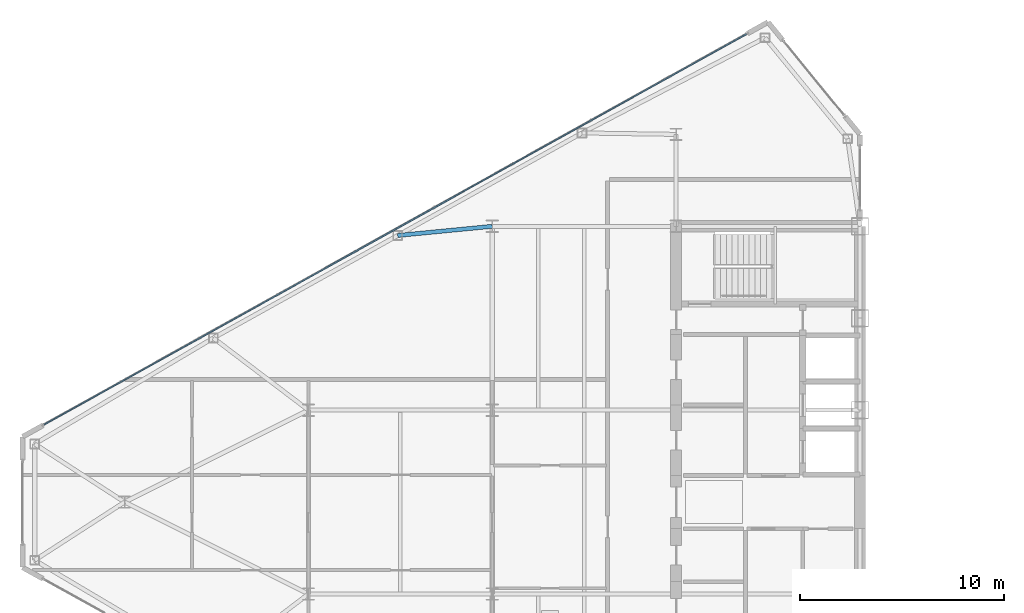
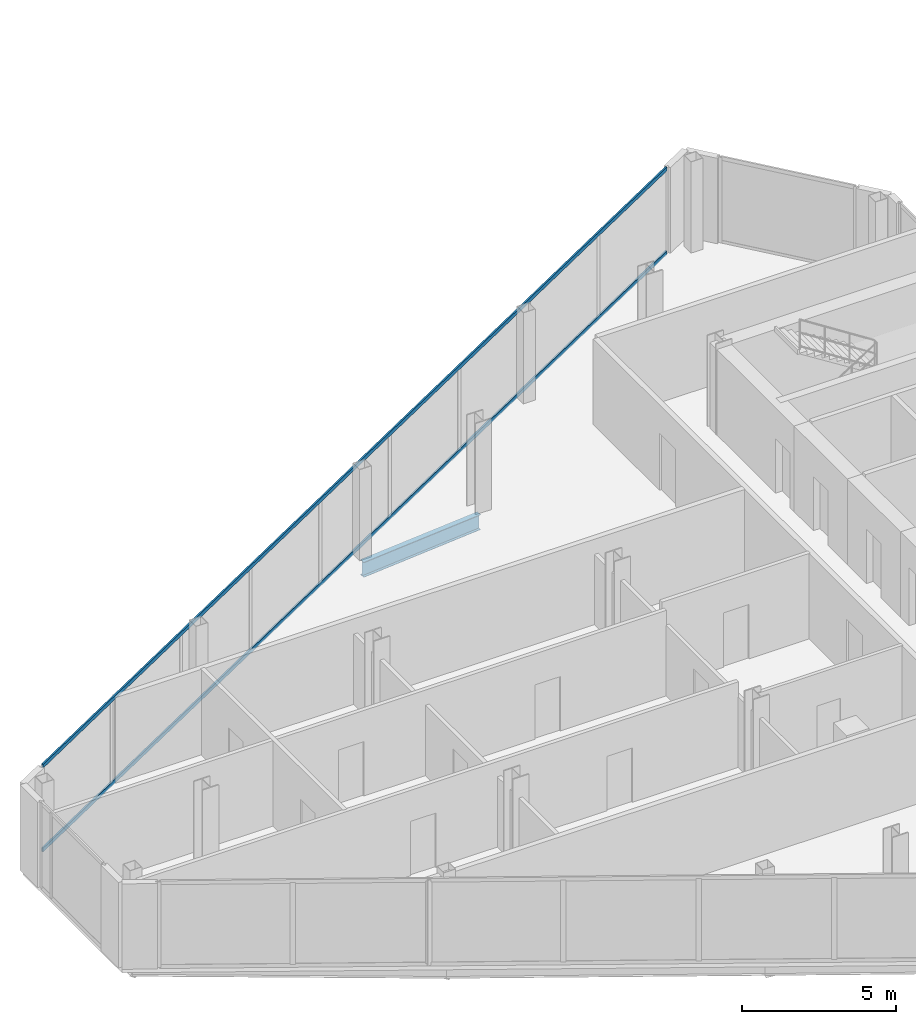
# One storey, part 9 of 26: 2 members, 1 beam, 1 element without a shape of its own.
"""IFC4 building model written with IfcOpenShell, lengths in metres."""

from ifc_helpers import new_model, si_unit, direction, frame, origin, origin_2d, place, context, subcontext, project, spatial, rectangle, i_section, extrude, source, transform, mapped, material, layer, layer_set, material_profile, profile_set, type_object, type_shapes, element, aggregate, save


model = new_model("IFC4")

# Units and contexts
model_context = context("Model", 3, precision=1e-05, world=origin(), true_north=direction((0.0, 1.0)))
body_context = subcontext(model_context, "Body", "Model", "MODEL_VIEW")
ifc_project = project(units=[si_unit("LENGTHUNIT", "METRE"), si_unit("AREAUNIT", "SQUARE_METRE"), si_unit("VOLUMEUNIT", "CUBIC_METRE"), si_unit("PLANEANGLEUNIT", "RADIAN"), si_unit("MASSUNIT", "GRAM", prefix="KILO")], contexts=[model_context])

# Site, building, storey
site_placement = place(None, origin())
site = spatial("IfcSite", under=ifc_project, at=site_placement, CompositionType="ELEMENT")
building_placement = place(site_placement, origin())
building = spatial("IfcBuilding", under=site, at=building_placement, Name="Seokmaru Belvedere", CompositionType="ELEMENT")
storey_placement = place(building_placement, frame((0.0, 0.0, 167.10009765625)))
storey = spatial("IfcBuildingStorey", under=building, at=storey_placement, Name="L44", CompositionType="ELEMENT", Elevation=167.10009765625)

# Beam
ifc_material_1 = material(Name="Steel SM355 (355 MPa)", Category="steel")
ifc_material_profile_1 = material_profile(ifc_material_1, i_section(OverallWidth=0.199951171875, OverallDepth=0.60009765625, WebThickness=0.010986328125, FlangeThickness=0.01708984375, at=origin_2d()), Name="H-600x200x11x17")
ifc_profile_set_1 = profile_set([ifc_material_profile_1], Name="Steel SM355 (355 MPa)")
beam_type = type_object("IfcBeamType", Name="Primary Floor Girder H-600", PredefinedType="BEAM", material=ifc_profile_set_1)
shared_shape_1 = source(origin(), body_context, "Body", "SweptSolid", [
    extrude(i_section(OverallWidth=0.199951171875, OverallDepth=0.60009765625, WebThickness=0.010986328125, FlangeThickness=0.01708984375, at=origin_2d()), origin(), (0.0, 0.0, 1.0), 4.65087890625),
])
type_shapes(beam_type, [shared_shape_1])
beam_placement = place(storey_placement, frame((-50.129150390625, 13.051025390625, -0.52001953125), z_axis=(0.995329534874, 0.09653557379, 0.0), x_axis=(-0.09653557379, 0.995329534874, 0.0)))
element("IfcBeam", 1, at=beam_placement, inside=storey, type_object=beam_type, Name="L44 W Flank Radial Floor Girder N-2", PredefinedType="BEAM", context=body_context, shape_type="MappedRepresentation", body=[
    mapped(shared_shape_1, transform((0.0, 0.0, 0.0), scale=1.0)),
])

# Curtain wall, members
ifc_material_2 = material(Name="Bronze Triple Insulating Glass", Category="glass")
ifc_layer = layer(ifc_material_2, 0.179931640625)
ifc_layer_set = layer_set([ifc_layer], Name="Bronze Triple Insulating Glass")
curtain_wall_type = type_object("IfcCurtainWallType", Name="High-Rise Wind-Corner Curtain Wall System CW-5", PredefinedType="NOTDEFINED", material=ifc_layer_set)
curtain_wall_placement = place(storey_placement, origin())
curtain_wall = element("IfcCurtainWall", 2, at=curtain_wall_placement, inside=storey, type_object=curtain_wall_type, Name="L44 Curtain Wall WF3", PredefinedType="NOTDEFINED")
ifc_material_3 = material(Name="Anodised Bronze Aluminium", Category="aluminium")
ifc_material_profile_2 = material_profile(ifc_material_3, rectangle(XDim=0.06494140625, YDim=0.14990234375, at=origin_2d()), Name="CW-T-65x150")
ifc_profile_set_2 = profile_set([ifc_material_profile_2], Name="Anodised Bronze Aluminium")
member_type = type_object("IfcMemberType", Name="Bronze Unitised Transom 65x150", PredefinedType="USERDEFINED", material=ifc_profile_set_2)
shared_shape_2 = source(origin(), body_context, "Body", "SweptSolid", [
    extrude(rectangle(XDim=0.06494140625, YDim=0.14990234375, at=origin_2d()), origin(), (0.0, 0.0, 1.0), 39.33544921875),
])
type_shapes(member_type, [shared_shape_2])
member_1_placement = place(storey_placement, frame((-33.061767578125, 22.909423828125, 0.032470703125), z_axis=(-0.873932045133, -0.486048125693, 0.0), x_axis=(0.486048125693, -0.873932045133, 0.0)))
member_1 = element("IfcMember", 3, at=member_1_placement, type_object=member_type, Name="CW:L44:WF3 Continuous Transom 1", ObjectType="TRANSOM", PredefinedType="USERDEFINED", context=body_context, shape_type="MappedRepresentation", body=[
    mapped(shared_shape_2, transform((0.0, 0.0, 0.0), scale=1.0)),
])
member_2_placement = place(storey_placement, frame((-33.061767578125, 22.909423828125, 3.347412109375), z_axis=(-0.873932045133, -0.486048125693, 0.0), x_axis=(0.486048125693, -0.873932045133, 0.0)))
member_2 = element("IfcMember", 4, at=member_2_placement, type_object=member_type, Name="CW:L44:WF3 Continuous Transom 2", ObjectType="TRANSOM", PredefinedType="USERDEFINED", context=body_context, shape_type="MappedRepresentation", body=[
    mapped(shared_shape_2, transform((0.0, 0.0, 0.0), scale=1.0)),
])
aggregate(curtain_wall, [member_1, member_2])

save(model, "model.ifc")
